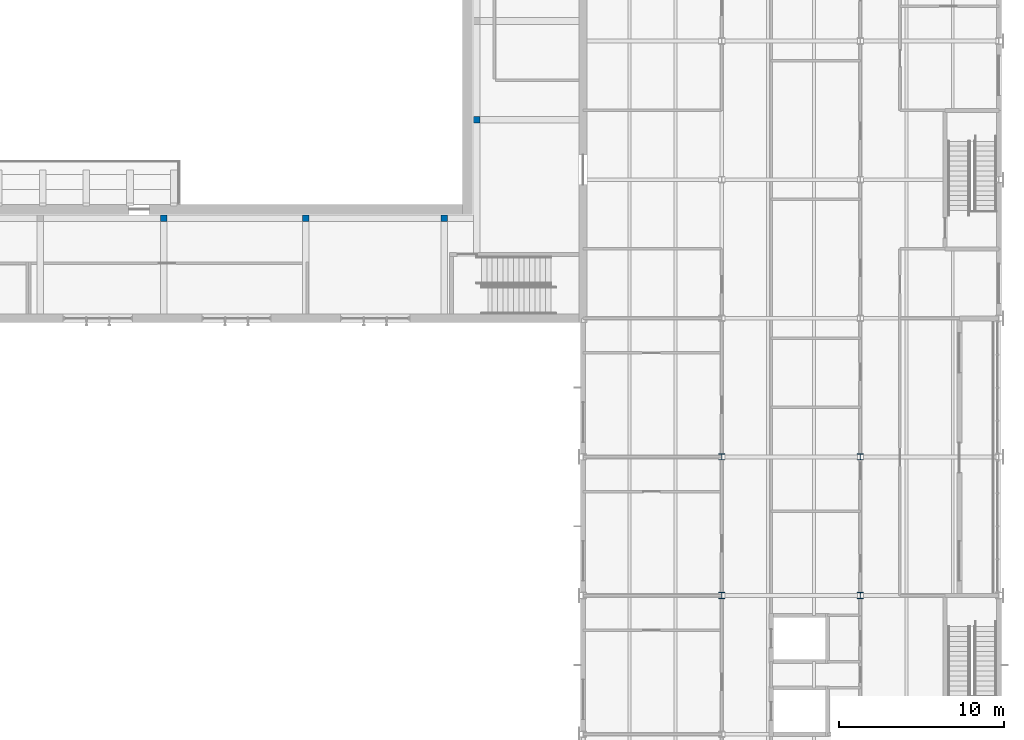
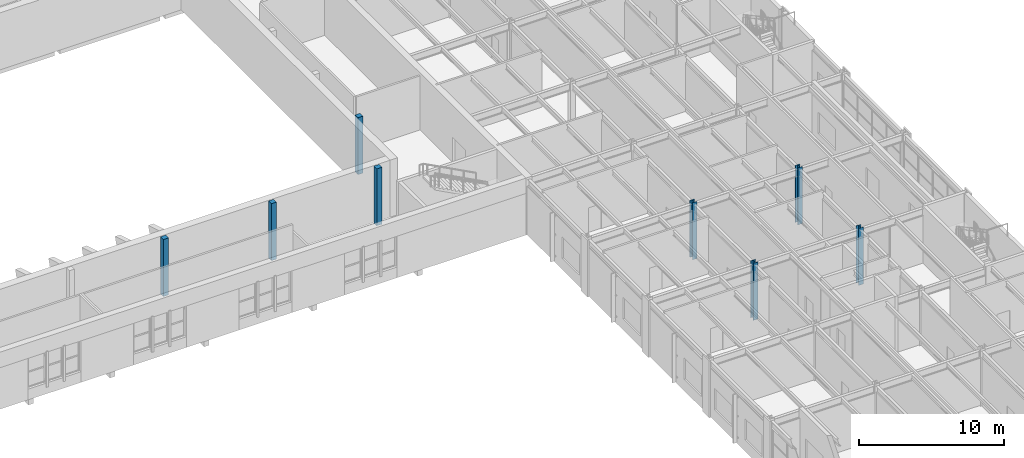
# One storey, part 5 of 127: 8 columns.
"""IFC4 building model written with IfcOpenShell, lengths in metres."""

from ifc_helpers import new_model, si_unit, direction, frame, origin, origin_2d, place, context, subcontext, project, spatial, rectangle, i_section, extrude, material, material_profile, profile_set, type_object, element, save


model = new_model("IFC4")

# Units and contexts
model_context = context("Model", 3, precision=1e-05, world=origin(), true_north=direction((0.0, 1.0)))
body_context = subcontext(model_context, "Body", "Model", "MODEL_VIEW")
ifc_project = project(units=[si_unit("LENGTHUNIT", "METRE"), si_unit("AREAUNIT", "SQUARE_METRE"), si_unit("VOLUMEUNIT", "CUBIC_METRE"), si_unit("PLANEANGLEUNIT", "RADIAN"), si_unit("MASSUNIT", "GRAM", prefix="KILO")], contexts=[model_context])

# Site, building, storey
site_placement = place(None, origin())
site = spatial("IfcSite", under=ifc_project, at=site_placement, CompositionType="ELEMENT")
building_placement = place(site_placement, origin())
building = spatial("IfcBuilding", under=site, at=building_placement, Name="Ljudholm Concert House", CompositionType="ELEMENT")
storey_placement = place(building_placement, frame((0.0, 0.0, 5.39990234375)))
storey = spatial("IfcBuildingStorey", under=building, at=storey_placement, Name="L01", CompositionType="ELEMENT", Elevation=5.39990234375)

# Columns
ifc_material_1 = material(Name="Concrete 6,500 psi", Category="concrete")
ifc_material_profile_1 = material_profile(ifc_material_1, rectangle(XDim=0.39990234375, YDim=0.39990234375, at=origin_2d()), Name="RC COLUMN 400x400")
ifc_profile_set_1 = profile_set([ifc_material_profile_1], Name="Concrete 6,500 psi")
column_type_1 = type_object("IfcColumnType", Name="RC COLUMN 400x400", PredefinedType="COLUMN", material=ifc_profile_set_1)
for number, where, z_axis, x_axis, name in (
    (1, (71.0, 60.449951171875, 0.0), (0.0, 0.0, 1.0), (1.0, 0.0, 0.0), "Ring column"),
    (2, (79.60009765625, 60.449951171875, 0.0), (0.0, 0.0, 1.0), (1.0, 0.0, 0.0), "Ring column"),
    (3, (88.0, 60.449951171875, 0.0), (0.0, 0.0, 1.0), (1.0, 0.0, 0.0), "Ring column"),
    (4, (89.949951171875, 66.429931640625, 0.0), (0.0, 0.0, 1.0), (1.0, 0.0, 0.0), "Ring column"),
):
    element("IfcColumn", number, at=place(storey_placement, frame(where, z_axis=z_axis, x_axis=x_axis)), inside=storey, type_object=column_type_1, Name=name, PredefinedType="COLUMN", context=body_context, shape_type="SweptSolid", body=[
        extrude(rectangle(XDim=0.39990234375, YDim=0.39990234375, at=origin_2d()), origin(), (0.0, 0.0, 1.0), 4.800048828125),
    ])
ifc_material_2 = material(Name="Steel ASTM A992", Category="steel")
ifc_material_profile_2 = material_profile(ifc_material_2, i_section(OverallWidth=0.373291015625, OverallDepth=0.373291015625, WebThickness=0.016357421875, FlangeThickness=0.026123046875, FilletRadius=0.01513671875, at=origin_2d()), Name="W14X132")
ifc_profile_set_2 = profile_set([ifc_material_profile_2], Name="Steel ASTM A992")
column_type_2 = type_object("IfcColumnType", Name="STEEL COLUMN W14X132", PredefinedType="COLUMN", material=ifc_profile_set_2)
for number, where, z_axis, x_axis, name in (
    (5, (104.800048828125, 37.60009765625, 0.0), (0.0, 0.0, 1.0), (1.0, 0.0, 0.0), "Column BOH-L01-col-104.8-37.6"),
    (6, (104.800048828125, 46.0, 0.0), (0.0, 0.0, 1.0), (1.0, 0.0, 0.0), "Column BOH-L01-col-104.8-46"),
    (7, (113.199951171875, 37.60009765625, 0.0), (0.0, 0.0, 1.0), (1.0, 0.0, 0.0), "Column BOH-L01-col-113.2-37.6"),
    (8, (113.199951171875, 46.0, 0.0), (0.0, 0.0, 1.0), (1.0, 0.0, 0.0), "Column BOH-L01-col-113.2-46"),
):
    element("IfcColumn", number, at=place(storey_placement, frame(where, z_axis=z_axis, x_axis=x_axis)), inside=storey, type_object=column_type_2, Name=name, PredefinedType="COLUMN", context=body_context, shape_type="SweptSolid", body=[
        extrude(i_section(OverallWidth=0.373291015625, OverallDepth=0.373291015625, WebThickness=0.016357421875, FlangeThickness=0.026123046875, FilletRadius=0.01513671875, at=origin_2d()), origin(), (0.0, 0.0, 1.0), 4.800048828125),
    ])

save(model, "model.ifc")
